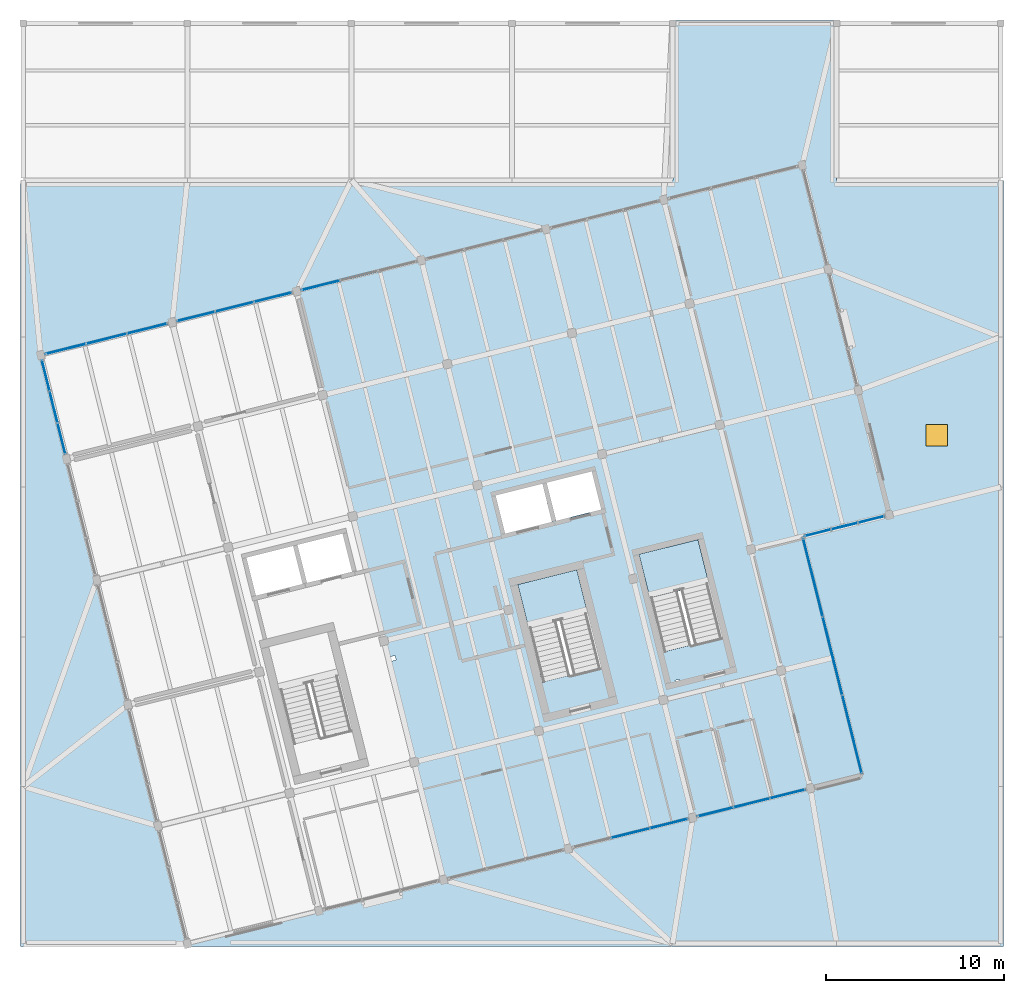
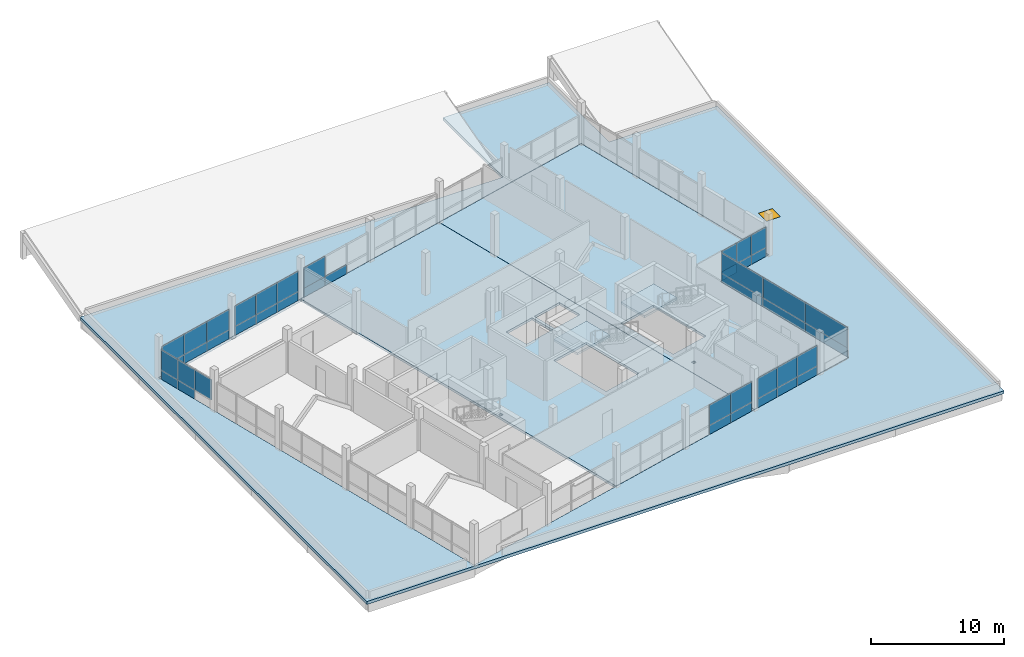
# One storey, part 32 of 37: 42 plates, 5 slabs, 1 window, 1 opening, 10 elements without a shape of their own.
"""IFC4 building model written with IfcOpenShell, lengths in metres."""

from ifc_helpers import new_model, si_unit, direction, frame, origin, origin_2d, place, context, subcontext, project, spatial, polyline, rectangle, outline, extrude, material, layer, layer_set, type_object, element, fill, aggregate, save


model = new_model("IFC4")

# Units and contexts
model_context = context("Model", 3, precision=1e-05, world=origin(), true_north=direction((0.0, 1.0)))
body_context = subcontext(model_context, "Body", "Model", "MODEL_VIEW")
ifc_project = project(units=[si_unit("LENGTHUNIT", "METRE"), si_unit("AREAUNIT", "SQUARE_METRE"), si_unit("VOLUMEUNIT", "CUBIC_METRE"), si_unit("PLANEANGLEUNIT", "RADIAN"), si_unit("MASSUNIT", "GRAM", prefix="KILO")], contexts=[model_context])

# Site, building, storey
site_placement = place(None, origin())
site = spatial("IfcSite", under=ifc_project, at=site_placement, CompositionType="ELEMENT")
building_placement = place(site_placement, origin())
building = spatial("IfcBuilding", under=site, at=building_placement, Name="Meriwether Solvik Hall", CompositionType="ELEMENT")
storey_placement = place(building_placement, frame((0.0, 0.0, 26.10009765625)))
storey = spatial("IfcBuildingStorey", under=building, at=storey_placement, Name="L06", CompositionType="ELEMENT", Elevation=26.10009765625)

# Curtain wall, plates
ifc_material_1 = material(Name="Thermally Broken Anodised Aluminium 6063-T6 and Low-E Glass", Category="aluminium")
ifc_layer_1 = layer(ifc_material_1, 0.179931640625)
ifc_layer_set_1 = layer_set([ifc_layer_1], Name="Thermally Broken Anodised Aluminium 6063-T6 and Low-E Glass")
curtain_wall_type_1 = type_object("IfcCurtainWallType", Name="CW-UNIT-A", PredefinedType="USERDEFINED", material=ifc_layer_set_1)
curtain_wall_1_placement = place(storey_placement, origin())
curtain_wall_1 = element("IfcCurtainWall", 1, at=curtain_wall_1_placement, inside=storey, type_object=curtain_wall_type_1, Name="Curtain Wall E0_B4 (L06)", ObjectType="UNITISED CURTAIN WALL", PredefinedType="USERDEFINED")
ifc_material_2 = material(Name="Low-Emissivity Double-Glazed Laminated Glass", Category="glass")
ifc_layer_2 = layer(ifc_material_2, 0.031982421875)
ifc_layer_set_2 = layer_set([ifc_layer_2], Name="Low-Emissivity Double-Glazed Laminated Glass")
plate_type_1 = type_object("IfcPlateType", Name="PLT-GLZ-180X185", PredefinedType="CURTAIN_PANEL", material=ifc_layer_set_2)
plate_1_placement = place(storey_placement, frame((102.24462890625, 49.588623046875, 0.82470703125), z_axis=(0.0, 0.0, 1.0), x_axis=(-0.970295700579, -0.241921998665, 0.0)))
plate_1 = element("IfcPlate", 2, at=plate_1_placement, type_object=plate_type_1, Name="Low-E Vision Glazing Panel 1", PredefinedType="CURTAIN_PANEL", context=body_context, shape_type="SweptSolid", body=[
    extrude(rectangle(XDim=2.047607421875, YDim=0.033935546875, at=origin_2d()), origin(), (0.0, 0.0, 1.0), 1.864990234375),
])
plate_2_placement = place(storey_placement, frame((100.231689453125, 49.086669921875, 0.82470703125), z_axis=(0.0, 0.0, 1.0), x_axis=(-0.970295700579, -0.241921998665, 0.0)))
plate_2 = element("IfcPlate", 3, at=plate_2_placement, type_object=plate_type_1, Name="Low-E Vision Glazing Panel 2", PredefinedType="CURTAIN_PANEL", context=body_context, shape_type="SweptSolid", body=[
    extrude(rectangle(XDim=2.085693359375, YDim=0.033935546875, at=origin_2d()), origin(), (0.0, 0.0, 1.0), 1.864990234375),
])
plate_3_placement = place(storey_placement, frame((98.218505859375, 48.584716796875, 0.82470703125), z_axis=(0.0, 0.0, 1.0), x_axis=(-0.970295700579, -0.241921998665, 0.0)))
plate_3 = element("IfcPlate", 4, at=plate_3_placement, type_object=plate_type_1, Name="Low-E Vision Glazing Panel 3", PredefinedType="CURTAIN_PANEL", context=body_context, shape_type="SweptSolid", body=[
    extrude(rectangle(XDim=2.047607421875, YDim=0.033935546875, at=origin_2d()), origin(), (0.0, 0.0, 1.0), 1.864990234375),
])

ifc_material_3 = material(Name="Thermally Broken Anodised Aluminium 6063-T6 and Low-E Glass", Category="aluminium")
ifc_layer_3 = layer(ifc_material_3, 0.179931640625)
ifc_layer_set_3 = layer_set([ifc_layer_3], Name="Thermally Broken Anodised Aluminium 6063-T6 and Low-E Glass")
curtain_wall_type_2 = type_object("IfcCurtainWallType", Name="CW-UNIT-E", PredefinedType="USERDEFINED", material=ifc_layer_set_3)
curtain_wall_2_placement = place(storey_placement, origin())
curtain_wall_2 = element("IfcCurtainWall", 5, at=curtain_wall_2_placement, inside=storey, type_object=curtain_wall_type_2, Name="Curtain Wall E1_B0 (L06)", ObjectType="UNITISED CURTAIN WALL", PredefinedType="USERDEFINED")
plate_4_placement = place(storey_placement, frame((103.677001953125, 61.72314453125, 0.82470703125), z_axis=(0.0, 0.0, 1.0), x_axis=(0.241921931502, -0.970295717325, 0.0)))
plate_4 = element("IfcPlate", 6, at=plate_4_placement, type_object=plate_type_1, Name="Low-E Vision Glazing Panel 1", PredefinedType="CURTAIN_PANEL", context=body_context, shape_type="SweptSolid", body=[
    extrude(rectangle(XDim=4.500732421875, YDim=0.033935546875, at=origin_2d()), origin(), (0.0, 0.0, 1.0), 1.864990234375),
])
plate_5_placement = place(storey_placement, frame((104.772216796875, 57.330078125, 0.82470703125), z_axis=(0.0, 0.0, 1.0), x_axis=(0.241921931502, -0.970295717325, 0.0)))
plate_5 = element("IfcPlate", 7, at=plate_5_placement, type_object=plate_type_1, Name="Low-E Vision Glazing Panel 2", PredefinedType="CURTAIN_PANEL", context=body_context, shape_type="SweptSolid", body=[
    extrude(rectangle(XDim=4.538818359375, YDim=0.033935546875, at=origin_2d()), origin(), (0.0, 0.0, 1.0), 1.864990234375),
])
plate_6_placement = place(storey_placement, frame((105.86767578125, 52.936767578125, 0.82470703125), z_axis=(0.0, 0.0, 1.0), x_axis=(0.241921931502, -0.970295717325, 0.0)))
plate_6 = element("IfcPlate", 8, at=plate_6_placement, type_object=plate_type_1, Name="Low-E Vision Glazing Panel 3", PredefinedType="CURTAIN_PANEL", context=body_context, shape_type="SweptSolid", body=[
    extrude(rectangle(XDim=4.500732421875, YDim=0.033935546875, at=origin_2d()), origin(), (0.0, 0.0, 1.0), 1.864990234375),
])

ifc_material_4 = material(Name="Thermally Broken Anodised Aluminium 6063-T6 and Low-E Glass", Category="aluminium")
ifc_layer_4 = layer(ifc_material_4, 0.179931640625)
ifc_layer_set_4 = layer_set([ifc_layer_4], Name="Thermally Broken Anodised Aluminium 6063-T6 and Low-E Glass")
curtain_wall_type_3 = type_object("IfcCurtainWallType", Name="CW-UNIT-F", PredefinedType="USERDEFINED", material=ifc_layer_set_4)
curtain_wall_3_placement = place(storey_placement, origin())
curtain_wall_3 = element("IfcCurtainWall", 9, at=curtain_wall_3_placement, inside=storey, type_object=curtain_wall_type_3, Name="Curtain Wall E2_B0 (L06)", ObjectType="UNITISED CURTAIN WALL", PredefinedType="USERDEFINED")
plate_7_placement = place(storey_placement, frame((106.9306640625, 64.979248046875, 0.82470703125), z_axis=(0.0, 0.0, 1.0), x_axis=(-0.97029572308, -0.241921908419, 0.0)))
plate_7 = element("IfcPlate", 10, at=plate_7_placement, type_object=plate_type_1, Name="Low-E Vision Glazing Panel 1", PredefinedType="CURTAIN_PANEL", context=body_context, shape_type="SweptSolid", body=[
    extrude(rectangle(XDim=1.507568359375, YDim=0.033935546875, at=origin_2d()), origin(), (0.0, 0.0, 1.0), 1.864990234375),
])
plate_8_placement = place(storey_placement, frame((105.441650390625, 64.608154296875, 0.82470703125), z_axis=(0.0, 0.0, 1.0), x_axis=(-0.97029572308, -0.241921908419, 0.0)))
plate_8 = element("IfcPlate", 11, at=plate_8_placement, type_object=plate_type_1, Name="Low-E Vision Glazing Panel 2", PredefinedType="CURTAIN_PANEL", context=body_context, shape_type="SweptSolid", body=[
    extrude(rectangle(XDim=1.54541015625, YDim=0.033935546875, at=origin_2d()), origin(), (0.0, 0.0, 1.0), 1.864990234375),
])
plate_9_placement = place(storey_placement, frame((103.95263671875, 64.23681640625, 0.82470703125), z_axis=(0.0, 0.0, 1.0), x_axis=(-0.97029572308, -0.241921908419, 0.0)))
plate_9 = element("IfcPlate", 12, at=plate_9_placement, type_object=plate_type_1, Name="Low-E Vision Glazing Panel 3", PredefinedType="CURTAIN_PANEL", context=body_context, shape_type="SweptSolid", body=[
    extrude(rectangle(XDim=1.507568359375, YDim=0.033935546875, at=origin_2d()), origin(), (0.0, 0.0, 1.0), 1.864990234375),
])

curtain_wall_4_placement = place(storey_placement, origin())
curtain_wall_4 = element("IfcCurtainWall", 13, at=curtain_wall_4_placement, inside=storey, type_object=curtain_wall_type_1, Name="Curtain Wall E4_B0 (L06)", ObjectType="UNITISED CURTAIN WALL", PredefinedType="USERDEFINED")
plate_10_placement = place(storey_placement, frame((61.7900390625, 74.54296875, 0.82470703125), z_axis=(0.0, 0.0, 1.0), x_axis=(0.970295724068, 0.241921904457, 0.0)))
plate_10 = element("IfcPlate", 14, at=plate_10_placement, type_object=plate_type_1, Name="Low-E Vision Glazing Panel 1", PredefinedType="CURTAIN_PANEL", context=body_context, shape_type="SweptSolid", body=[
    extrude(rectangle(XDim=2.314208984375, YDim=0.033935546875, at=origin_2d()), origin(), (0.0, 0.0, 1.0), 1.864990234375),
])
plate_11_placement = place(storey_placement, frame((64.061767578125, 75.109375, 0.82470703125), z_axis=(0.0, 0.0, 1.0), x_axis=(0.970295724068, 0.241921904457, 0.0)))
plate_11 = element("IfcPlate", 15, at=plate_11_placement, type_object=plate_type_1, Name="Low-E Vision Glazing Panel 2", PredefinedType="CURTAIN_PANEL", context=body_context, shape_type="SweptSolid", body=[
    extrude(rectangle(XDim=2.352294921875, YDim=0.033935546875, at=origin_2d()), origin(), (0.0, 0.0, 1.0), 1.864990234375),
])
plate_12_placement = place(storey_placement, frame((66.33349609375, 75.67578125, 0.82470703125), z_axis=(0.0, 0.0, 1.0), x_axis=(0.970295724068, 0.241921904457, 0.0)))
plate_12 = element("IfcPlate", 16, at=plate_12_placement, type_object=plate_type_1, Name="Low-E Vision Glazing Panel 3", PredefinedType="CURTAIN_PANEL", context=body_context, shape_type="SweptSolid", body=[
    extrude(rectangle(XDim=2.314208984375, YDim=0.033935546875, at=origin_2d()), origin(), (0.0, 0.0, 1.0), 1.864990234375),
])

curtain_wall_5_placement = place(storey_placement, origin())
curtain_wall_5 = element("IfcCurtainWall", 17, at=curtain_wall_5_placement, inside=storey, type_object=curtain_wall_type_3, Name="Curtain Wall E5_B4 (L06)", ObjectType="UNITISED CURTAIN WALL", PredefinedType="USERDEFINED")
plate_13_placement = place(storey_placement, frame((61.537841796875, 69.52490234375, 0.82470703125), z_axis=(0.0, 0.0, 1.0), x_axis=(-0.241921905778, 0.970295723738, 0.0)))
plate_13 = element("IfcPlate", 18, at=plate_13_placement, type_object=plate_type_1, Name="Low-E Vision Glazing Panel 1", PredefinedType="CURTAIN_PANEL", context=body_context, shape_type="SweptSolid", body=[
    extrude(rectangle(XDim=1.781005859375, YDim=0.033935546875, at=origin_2d()), origin(), (0.0, 0.0, 1.0), 1.864990234375),
])
plate_14_placement = place(storey_placement, frame((61.100341796875, 71.279052734375, 0.82470703125), z_axis=(0.0, 0.0, 1.0), x_axis=(-0.241921905778, 0.970295723738, 0.0)))
plate_14 = element("IfcPlate", 19, at=plate_14_placement, type_object=plate_type_1, Name="Low-E Vision Glazing Panel 2", PredefinedType="CURTAIN_PANEL", context=body_context, shape_type="SweptSolid", body=[
    extrude(rectangle(XDim=1.819091796875, YDim=0.033935546875, at=origin_2d()), origin(), (0.0, 0.0, 1.0), 1.864990234375),
])
plate_15_placement = place(storey_placement, frame((60.6630859375, 73.033447265625, 0.82470703125), z_axis=(0.0, 0.0, 1.0), x_axis=(-0.241921905778, 0.970295723738, 0.0)))
plate_15 = element("IfcPlate", 20, at=plate_15_placement, type_object=plate_type_1, Name="Low-E Vision Glazing Panel 3", PredefinedType="CURTAIN_PANEL", context=body_context, shape_type="SweptSolid", body=[
    extrude(rectangle(XDim=1.781005859375, YDim=0.033935546875, at=origin_2d()), origin(), (0.0, 0.0, 1.0), 1.864990234375),
])

ifc_material_5 = material(Name="Thermally Broken Anodised Aluminium 6063-T6 and Low-E Glass", Category="aluminium")
ifc_layer_5 = layer(ifc_material_5, 0.179931640625)
ifc_layer_set_5 = layer_set([ifc_layer_5], Name="Thermally Broken Anodised Aluminium 6063-T6 and Low-E Glass")
curtain_wall_type_4 = type_object("IfcCurtainWallType", Name="CW-UNIT-G", PredefinedType="USERDEFINED", material=ifc_layer_set_5)
curtain_wall_6_placement = place(storey_placement, origin())
curtain_wall_6 = element("IfcCurtainWall", 21, at=curtain_wall_6_placement, inside=storey, type_object=curtain_wall_type_4, Name="Curtain Wall E0_B3 (L06)", ObjectType="UNITISED CURTAIN WALL", PredefinedType="USERDEFINED")
ifc_material_6 = material(Name="Low-Emissivity Double-Glazed Laminated Glass", Category="glass")
ifc_layer_6 = layer(ifc_material_6, 0.031982421875)
ifc_layer_set_6 = layer_set([ifc_layer_6], Name="Low-Emissivity Double-Glazed Laminated Glass")
plate_type_2 = type_object("IfcPlateType", Name="PLT-GLZ-195X185", PredefinedType="CURTAIN_PANEL", material=ifc_layer_set_6)
plate_16_placement = place(storey_placement, frame((95.58203125, 47.92724609375, 0.82470703125), z_axis=(0.0, 0.0, 1.0), x_axis=(-0.970295691079, -0.241922036769, 0.0)))
plate_16 = element("IfcPlate", 22, at=plate_16_placement, type_object=plate_type_2, Name="Low-E Vision Glazing Panel 1", PredefinedType="CURTAIN_PANEL", context=body_context, shape_type="SweptSolid", body=[
    extrude(rectangle(XDim=2.180908203125, YDim=0.033935546875, at=origin_2d()), origin(), (0.0, 0.0, 1.0), 1.864990234375),
])
plate_17_placement = place(storey_placement, frame((93.439453125, 47.393310546875, 0.82470703125), z_axis=(0.0, 0.0, 1.0), x_axis=(-0.970295691079, -0.241922036769, 0.0)))
plate_17 = element("IfcPlate", 23, at=plate_17_placement, type_object=plate_type_2, Name="Low-E Vision Glazing Panel 2", PredefinedType="CURTAIN_PANEL", context=body_context, shape_type="SweptSolid", body=[
    extrude(rectangle(XDim=2.218994140625, YDim=0.033935546875, at=origin_2d()), origin(), (0.0, 0.0, 1.0), 1.864990234375),
])

# Curtain wall, plate
ifc_material_7 = material(Name="Thermally Broken Anodised Aluminium 6063-T6 and Low-E Glass", Category="aluminium")
ifc_layer_7 = layer(ifc_material_7, 0.179931640625)
ifc_layer_set_7 = layer_set([ifc_layer_7], Name="Thermally Broken Anodised Aluminium 6063-T6 and Low-E Glass")
curtain_wall_type_5 = type_object("IfcCurtainWallType", Name="CW-UNIT-C", PredefinedType="USERDEFINED", material=ifc_layer_set_7)
curtain_wall_7_placement = place(storey_placement, origin())
curtain_wall_7 = element("IfcCurtainWall", 24, at=curtain_wall_7_placement, inside=storey, type_object=curtain_wall_type_5, Name="Curtain Wall E4_B2 (L06)", ObjectType="UNITISED CURTAIN WALL", PredefinedType="USERDEFINED")
ifc_material_8 = material(Name="Low-Emissivity Double-Glazed Laminated Glass", Category="glass")
ifc_layer_8 = layer(ifc_material_8, 0.031982421875)
ifc_layer_set_8 = layer_set([ifc_layer_8], Name="Low-Emissivity Double-Glazed Laminated Glass")
plate_type_3 = type_object("IfcPlateType", Name="PLT-GLZ-210X195", PredefinedType="CURTAIN_PANEL", material=ifc_layer_set_8)
plate_18_placement = place(storey_placement, frame((76.085693359375, 78.107177734375, 0.82470703125), z_axis=(0.0, 0.0, 1.0), x_axis=(0.970295699836, 0.241922001646, 0.0)))
plate_18 = element("IfcPlate", 25, at=plate_18_placement, type_object=plate_type_3, Name="Low-E Vision Glazing Panel 1", PredefinedType="CURTAIN_PANEL", context=body_context, shape_type="SweptSolid", body=[
    extrude(rectangle(XDim=2.180908203125, YDim=0.033935546875, at=origin_2d()), origin(), (0.0, 0.0, 1.0), 1.864990234375),
])

# Curtain wall, plates
ifc_material_9 = material(Name="Thermally Broken Anodised Aluminium 6063-T6 and Low-E Glass", Category="aluminium")
ifc_layer_9 = layer(ifc_material_9, 0.179931640625)
ifc_layer_set_9 = layer_set([ifc_layer_9], Name="Thermally Broken Anodised Aluminium 6063-T6 and Low-E Glass")
curtain_wall_type_6 = type_object("IfcCurtainWallType", Name="CW-UNIT-B", PredefinedType="USERDEFINED", material=ifc_layer_set_9)
curtain_wall_8_placement = place(storey_placement, origin())
curtain_wall_8 = element("IfcCurtainWall", 26, at=curtain_wall_8_placement, inside=storey, type_object=curtain_wall_type_6, Name="Curtain Wall E4_B1 (L06)", ObjectType="UNITISED CURTAIN WALL", PredefinedType="USERDEFINED")
ifc_material_10 = material(Name="Low-Emissivity Double-Glazed Laminated Glass", Category="glass")
ifc_layer_10 = layer(ifc_material_10, 0.031982421875)
ifc_layer_set_10 = layer_set([ifc_layer_10], Name="Low-Emissivity Double-Glazed Laminated Glass")
plate_type_4 = type_object("IfcPlateType", Name="PLT-GLZ-225X195", PredefinedType="CURTAIN_PANEL", material=ifc_layer_set_10)
plate_19_placement = place(storey_placement, frame((69.099609375, 76.365478515625, 0.82470703125), z_axis=(0.0, 0.0, 1.0), x_axis=(0.970295734974, 0.241921860714, 0.0)))
plate_19 = element("IfcPlate", 27, at=plate_19_placement, type_object=plate_type_4, Name="Low-E Vision Glazing Panel 1", PredefinedType="CURTAIN_PANEL", context=body_context, shape_type="SweptSolid", body=[
    extrude(rectangle(XDim=2.180908203125, YDim=0.033935546875, at=origin_2d()), origin(), (0.0, 0.0, 1.0), 1.864990234375),
])
plate_20_placement = place(storey_placement, frame((71.241943359375, 76.899658203125, 0.82470703125), z_axis=(0.0, 0.0, 1.0), x_axis=(0.970295734974, 0.241921860714, 0.0)))
plate_20 = element("IfcPlate", 28, at=plate_20_placement, type_object=plate_type_4, Name="Low-E Vision Glazing Panel 2", PredefinedType="CURTAIN_PANEL", context=body_context, shape_type="SweptSolid", body=[
    extrude(rectangle(XDim=2.218994140625, YDim=0.033935546875, at=origin_2d()), origin(), (0.0, 0.0, 1.0), 1.864990234375),
])
plate_21_placement = place(storey_placement, frame((73.38427734375, 77.433837890625, 0.82470703125), z_axis=(0.0, 0.0, 1.0), x_axis=(0.970295734974, 0.241921860714, 0.0)))
plate_21 = element("IfcPlate", 29, at=plate_21_placement, type_object=plate_type_4, Name="Low-E Vision Glazing Panel 3", PredefinedType="CURTAIN_PANEL", context=body_context, shape_type="SweptSolid", body=[
    extrude(rectangle(XDim=2.180908203125, YDim=0.033935546875, at=origin_2d()), origin(), (0.0, 0.0, 1.0), 1.864990234375),
])

# Plate
ifc_material_11 = material(Name="Mineral-Wool Insulated Anodised Aluminium 6063-T6", Category="aluminium")
ifc_layer_11 = layer(ifc_material_11, 0.044921875)
ifc_layer_set_11 = layer_set([ifc_layer_11], Name="Mineral-Wool Insulated Anodised Aluminium 6063-T6")
plate_type_5 = type_object("IfcPlateType", Name="PLT-SPN-225X085", PredefinedType="CURTAIN_PANEL", material=ifc_layer_set_11)
plate_22_placement = place(storey_placement, frame((95.58203125, 47.92724609375, 0.0), z_axis=(0.0, 0.0, 1.0), x_axis=(-0.970295691079, -0.241922036769, 0.0)))
plate_22 = element("IfcPlate", 30, at=plate_22_placement, type_object=plate_type_5, Name="Insulated Spandrel Panel 1", PredefinedType="CURTAIN_PANEL", context=body_context, shape_type="SweptSolid", body=[
    extrude(rectangle(XDim=2.180908203125, YDim=0.044921875, at=origin_2d()), origin(), (0.0, 0.0, 1.0), 0.824951171875),
])

plate_23_placement = place(storey_placement, frame((93.439453125, 47.393310546875, 0.0), z_axis=(0.0, 0.0, 1.0), x_axis=(-0.970295691079, -0.241922036769, 0.0)))
plate_23 = element("IfcPlate", 31, at=plate_23_placement, type_object=plate_type_5, Name="Insulated Spandrel Panel 2", PredefinedType="CURTAIN_PANEL", context=body_context, shape_type="SweptSolid", body=[
    extrude(rectangle(XDim=2.218994140625, YDim=0.044921875, at=origin_2d()), origin(), (0.0, 0.0, 1.0), 0.824951171875),
])

aggregate(curtain_wall_6, [plate_22, plate_16, plate_23, plate_17])

plate_24_placement = place(storey_placement, frame((102.24462890625, 49.588623046875, 0.0), z_axis=(0.0, 0.0, 1.0), x_axis=(-0.970295700579, -0.241921998665, 0.0)))
plate_24 = element("IfcPlate", 32, at=plate_24_placement, type_object=plate_type_5, Name="Insulated Spandrel Panel 1", PredefinedType="CURTAIN_PANEL", context=body_context, shape_type="SweptSolid", body=[
    extrude(rectangle(XDim=2.047607421875, YDim=0.044921875, at=origin_2d()), origin(), (0.0, 0.0, 1.0), 0.824951171875),
])

plate_25_placement = place(storey_placement, frame((100.231689453125, 49.086669921875, 0.0), z_axis=(0.0, 0.0, 1.0), x_axis=(-0.970295700579, -0.241921998665, 0.0)))
plate_25 = element("IfcPlate", 33, at=plate_25_placement, type_object=plate_type_5, Name="Insulated Spandrel Panel 2", PredefinedType="CURTAIN_PANEL", context=body_context, shape_type="SweptSolid", body=[
    extrude(rectangle(XDim=2.085693359375, YDim=0.044921875, at=origin_2d()), origin(), (0.0, 0.0, 1.0), 0.824951171875),
])

plate_26_placement = place(storey_placement, frame((98.218505859375, 48.584716796875, 0.0), z_axis=(0.0, 0.0, 1.0), x_axis=(-0.970295700579, -0.241921998665, 0.0)))
plate_26 = element("IfcPlate", 34, at=plate_26_placement, type_object=plate_type_5, Name="Insulated Spandrel Panel 3", PredefinedType="CURTAIN_PANEL", context=body_context, shape_type="SweptSolid", body=[
    extrude(rectangle(XDim=2.047607421875, YDim=0.044921875, at=origin_2d()), origin(), (0.0, 0.0, 1.0), 0.824951171875),
])

aggregate(curtain_wall_1, [plate_24, plate_1, plate_25, plate_2, plate_26, plate_3])

plate_27_placement = place(storey_placement, frame((103.677001953125, 61.72314453125, 0.0), z_axis=(0.0, 0.0, 1.0), x_axis=(0.241921931502, -0.970295717325, 0.0)))
plate_27 = element("IfcPlate", 35, at=plate_27_placement, type_object=plate_type_5, Name="Insulated Spandrel Panel 1", PredefinedType="CURTAIN_PANEL", context=body_context, shape_type="SweptSolid", body=[
    extrude(rectangle(XDim=4.500732421875, YDim=0.044921875, at=origin_2d()), origin(), (0.0, 0.0, 1.0), 0.824951171875),
])

plate_28_placement = place(storey_placement, frame((104.772216796875, 57.330078125, 0.0), z_axis=(0.0, 0.0, 1.0), x_axis=(0.241921931502, -0.970295717325, 0.0)))
plate_28 = element("IfcPlate", 36, at=plate_28_placement, type_object=plate_type_5, Name="Insulated Spandrel Panel 2", PredefinedType="CURTAIN_PANEL", context=body_context, shape_type="SweptSolid", body=[
    extrude(rectangle(XDim=4.538818359375, YDim=0.044921875, at=origin_2d()), origin(), (0.0, 0.0, 1.0), 0.824951171875),
])

plate_29_placement = place(storey_placement, frame((105.86767578125, 52.936767578125, 0.0), z_axis=(0.0, 0.0, 1.0), x_axis=(0.241921931502, -0.970295717325, 0.0)))
plate_29 = element("IfcPlate", 37, at=plate_29_placement, type_object=plate_type_5, Name="Insulated Spandrel Panel 3", PredefinedType="CURTAIN_PANEL", context=body_context, shape_type="SweptSolid", body=[
    extrude(rectangle(XDim=4.500732421875, YDim=0.044921875, at=origin_2d()), origin(), (0.0, 0.0, 1.0), 0.824951171875),
])

aggregate(curtain_wall_2, [plate_27, plate_4, plate_28, plate_5, plate_29, plate_6])

plate_30_placement = place(storey_placement, frame((106.9306640625, 64.979248046875, 0.0), z_axis=(0.0, 0.0, 1.0), x_axis=(-0.97029572308, -0.241921908419, 0.0)))
plate_30 = element("IfcPlate", 38, at=plate_30_placement, type_object=plate_type_5, Name="Insulated Spandrel Panel 1", PredefinedType="CURTAIN_PANEL", context=body_context, shape_type="SweptSolid", body=[
    extrude(rectangle(XDim=1.507568359375, YDim=0.044921875, at=origin_2d()), origin(), (0.0, 0.0, 1.0), 0.824951171875),
])

plate_31_placement = place(storey_placement, frame((105.441650390625, 64.608154296875, 0.0), z_axis=(0.0, 0.0, 1.0), x_axis=(-0.97029572308, -0.241921908419, 0.0)))
plate_31 = element("IfcPlate", 39, at=plate_31_placement, type_object=plate_type_5, Name="Insulated Spandrel Panel 2", PredefinedType="CURTAIN_PANEL", context=body_context, shape_type="SweptSolid", body=[
    extrude(rectangle(XDim=1.54541015625, YDim=0.044921875, at=origin_2d()), origin(), (0.0, 0.0, 1.0), 0.824951171875),
])

plate_32_placement = place(storey_placement, frame((103.95263671875, 64.23681640625, 0.0), z_axis=(0.0, 0.0, 1.0), x_axis=(-0.97029572308, -0.241921908419, 0.0)))
plate_32 = element("IfcPlate", 40, at=plate_32_placement, type_object=plate_type_5, Name="Insulated Spandrel Panel 3", PredefinedType="CURTAIN_PANEL", context=body_context, shape_type="SweptSolid", body=[
    extrude(rectangle(XDim=1.507568359375, YDim=0.044921875, at=origin_2d()), origin(), (0.0, 0.0, 1.0), 0.824951171875),
])

aggregate(curtain_wall_3, [plate_30, plate_7, plate_31, plate_8, plate_32, plate_9])

plate_33_placement = place(storey_placement, frame((61.7900390625, 74.54296875, 0.0), z_axis=(0.0, 0.0, 1.0), x_axis=(0.970295724068, 0.241921904457, 0.0)))
plate_33 = element("IfcPlate", 41, at=plate_33_placement, type_object=plate_type_5, Name="Insulated Spandrel Panel 1", PredefinedType="CURTAIN_PANEL", context=body_context, shape_type="SweptSolid", body=[
    extrude(rectangle(XDim=2.314208984375, YDim=0.044921875, at=origin_2d()), origin(), (0.0, 0.0, 1.0), 0.824951171875),
])

plate_34_placement = place(storey_placement, frame((64.061767578125, 75.109375, 0.0), z_axis=(0.0, 0.0, 1.0), x_axis=(0.970295724068, 0.241921904457, 0.0)))
plate_34 = element("IfcPlate", 42, at=plate_34_placement, type_object=plate_type_5, Name="Insulated Spandrel Panel 2", PredefinedType="CURTAIN_PANEL", context=body_context, shape_type="SweptSolid", body=[
    extrude(rectangle(XDim=2.352294921875, YDim=0.044921875, at=origin_2d()), origin(), (0.0, 0.0, 1.0), 0.824951171875),
])

plate_35_placement = place(storey_placement, frame((66.33349609375, 75.67578125, 0.0), z_axis=(0.0, 0.0, 1.0), x_axis=(0.970295724068, 0.241921904457, 0.0)))
plate_35 = element("IfcPlate", 43, at=plate_35_placement, type_object=plate_type_5, Name="Insulated Spandrel Panel 3", PredefinedType="CURTAIN_PANEL", context=body_context, shape_type="SweptSolid", body=[
    extrude(rectangle(XDim=2.314208984375, YDim=0.044921875, at=origin_2d()), origin(), (0.0, 0.0, 1.0), 0.824951171875),
])

aggregate(curtain_wall_4, [plate_33, plate_10, plate_34, plate_11, plate_35, plate_12])

plate_36_placement = place(storey_placement, frame((69.099609375, 76.365478515625, 0.0), z_axis=(0.0, 0.0, 1.0), x_axis=(0.970295734974, 0.241921860714, 0.0)))
plate_36 = element("IfcPlate", 44, at=plate_36_placement, type_object=plate_type_5, Name="Insulated Spandrel Panel 1", PredefinedType="CURTAIN_PANEL", context=body_context, shape_type="SweptSolid", body=[
    extrude(rectangle(XDim=2.180908203125, YDim=0.044921875, at=origin_2d()), origin(), (0.0, 0.0, 1.0), 0.824951171875),
])

plate_37_placement = place(storey_placement, frame((71.241943359375, 76.899658203125, 0.0), z_axis=(0.0, 0.0, 1.0), x_axis=(0.970295734974, 0.241921860714, 0.0)))
plate_37 = element("IfcPlate", 45, at=plate_37_placement, type_object=plate_type_5, Name="Insulated Spandrel Panel 2", PredefinedType="CURTAIN_PANEL", context=body_context, shape_type="SweptSolid", body=[
    extrude(rectangle(XDim=2.218994140625, YDim=0.044921875, at=origin_2d()), origin(), (0.0, 0.0, 1.0), 0.824951171875),
])

plate_38_placement = place(storey_placement, frame((73.38427734375, 77.433837890625, 0.0), z_axis=(0.0, 0.0, 1.0), x_axis=(0.970295734974, 0.241921860714, 0.0)))
plate_38 = element("IfcPlate", 46, at=plate_38_placement, type_object=plate_type_5, Name="Insulated Spandrel Panel 3", PredefinedType="CURTAIN_PANEL", context=body_context, shape_type="SweptSolid", body=[
    extrude(rectangle(XDim=2.180908203125, YDim=0.044921875, at=origin_2d()), origin(), (0.0, 0.0, 1.0), 0.824951171875),
])

aggregate(curtain_wall_8, [plate_36, plate_19, plate_37, plate_20, plate_38, plate_21])

plate_39_placement = place(storey_placement, frame((76.085693359375, 78.107177734375, 0.0), z_axis=(0.0, 0.0, 1.0), x_axis=(0.970295699836, 0.241922001646, 0.0)))
plate_39 = element("IfcPlate", 47, at=plate_39_placement, type_object=plate_type_5, Name="Insulated Spandrel Panel 1", PredefinedType="CURTAIN_PANEL", context=body_context, shape_type="SweptSolid", body=[
    extrude(rectangle(XDim=2.180908203125, YDim=0.044921875, at=origin_2d()), origin(), (0.0, 0.0, 1.0), 0.824951171875),
])

plate_40_placement = place(storey_placement, frame((78.22802734375, 78.641357421875, 0.0), z_axis=(0.0, 0.0, 1.0), x_axis=(0.970295699836, 0.241922001646, 0.0)))
plate_40 = element("IfcPlate", 48, at=plate_40_placement, type_object=plate_type_5, Name="Insulated Spandrel Panel 2", PredefinedType="CURTAIN_PANEL", context=body_context, shape_type="SweptSolid", body=[
    extrude(rectangle(XDim=2.218994140625, YDim=0.044921875, at=origin_2d()), origin(), (0.0, 0.0, 1.0), 0.824951171875),
])

aggregate(curtain_wall_7, [plate_39, plate_18, plate_40])

plate_41_placement = place(storey_placement, frame((61.100341796875, 71.279052734375, 0.0), z_axis=(0.0, 0.0, 1.0), x_axis=(-0.241921905778, 0.970295723738, 0.0)))
plate_41 = element("IfcPlate", 49, at=plate_41_placement, type_object=plate_type_5, Name="Insulated Spandrel Panel 2", PredefinedType="CURTAIN_PANEL", context=body_context, shape_type="SweptSolid", body=[
    extrude(rectangle(XDim=1.819091796875, YDim=0.044921875, at=origin_2d()), origin(), (0.0, 0.0, 1.0), 0.824951171875),
])

plate_42_placement = place(storey_placement, frame((60.6630859375, 73.033447265625, 0.0), z_axis=(0.0, 0.0, 1.0), x_axis=(-0.241921905778, 0.970295723738, 0.0)))
plate_42 = element("IfcPlate", 50, at=plate_42_placement, type_object=plate_type_5, Name="Insulated Spandrel Panel 3", PredefinedType="CURTAIN_PANEL", context=body_context, shape_type="SweptSolid", body=[
    extrude(rectangle(XDim=1.781005859375, YDim=0.044921875, at=origin_2d()), origin(), (0.0, 0.0, 1.0), 0.824951171875),
])

aggregate(curtain_wall_5, [plate_13, plate_41, plate_14, plate_42, plate_15])

# Slabs
ifc_material_12 = material(Name="Cross-Laminated Timber PRG 320 E1", Category="wood")
ifc_layer_12 = layer(ifc_material_12, 0.219970703125)
ifc_layer_set_12 = layer_set([ifc_layer_12], Name="Cross-Laminated Timber PRG 320 E1")
slab_type_1 = type_object("IfcSlabType", Name="SLB-CLT-220", PredefinedType="FLOOR", material=ifc_layer_set_12)
slab_1_placement = place(storey_placement, frame((0.0, 0.0, -0.22021484375)))
element("IfcSlab", 51, at=slab_1_placement, inside=storey, type_object=slab_type_1, Name="L06 Mass-Timber CLT Floor C", PredefinedType="FLOOR", context=body_context, shape_type="SweptSolid", body=[
    extrude(outline(polyline([(88.704345703125, 81.25341796875), (96.9296875, 48.263427734375), (82.96337890625, 44.78125), (74.738037109375, 77.771240234375), (88.704345703125, 81.25341796875)]), holes=[polyline([(79.997314453125, 57.284912109375), (80.0576171875, 57.04248046875), (80.30029296875, 57.10302734375), (80.23974609375, 57.345458984375), (79.997314453125, 57.284912109375)]), polyline([(87.13037109375, 61.330810546875), (88.492919921875, 55.8662109375), (91.791748046875, 56.688720703125), (90.429443359375, 62.1533203125), (87.13037109375, 61.330810546875)]), polyline([(88.504150390625, 66.981201171875), (85.884521484375, 66.327880859375), (86.416748046875, 64.193359375), (89.036376953125, 64.846435546875), (88.504150390625, 66.981201171875)]), polyline([(91.26953125, 67.670654296875), (88.746826171875, 67.04150390625), (89.279052734375, 64.906982421875), (91.8017578125, 65.535888671875), (91.26953125, 67.670654296875)])]), origin(), (0.0, 0.0, 1.0), 0.22021484375),
])
slab_2_placement = place(storey_placement, frame((0.0, 0.0, -0.22021484375)))
element("IfcSlab", 52, at=slab_2_placement, inside=storey, type_object=slab_type_1, Name="L06 Mass-Timber CLT Floor E", PredefinedType="FLOOR", context=body_context, shape_type="SweptSolid", body=[
    extrude(outline(polyline([(103.067626953125, 84.834716796875), (107.95458984375, 65.234619140625), (103.10302734375, 64.025146484375), (106.441650390625, 50.635009765625), (96.935546875, 48.264892578125), (88.710205078125, 81.2548828125), (103.067626953125, 84.834716796875)]), holes=[polyline([(95.943115234375, 55.953125), (96.003662109375, 55.71044921875), (96.24609375, 55.77099609375), (96.185791015625, 56.013671875), (95.943115234375, 55.953125)]), polyline([(93.92236328125, 63.0244140625), (95.284912109375, 57.5595703125), (98.583984375, 58.382080078125), (97.221435546875, 63.846923828125), (93.92236328125, 63.0244140625)])]), origin(), (0.0, 0.0, 1.0), 0.22021484375),
])

# Stair, slab
ifc_material_13 = material(Name="Concrete C40/50", Category="concrete")
stair_type = type_object("IfcStairType", Name="STR-CORE-DOGLEG-A", PredefinedType="TWO_STRAIGHT_RUN_STAIR", material=ifc_material_13)
stair_1_placement = place(storey_placement, origin())
stair_1 = element("IfcStair", 53, at=stair_1_placement, inside=storey, type_object=stair_type, Name="Exit Stair ST-02 (L06)", PredefinedType="TWO_STRAIGHT_RUN_STAIR")
ifc_material_14 = material(Name="Concrete C40/50", Category="concrete")
ifc_layer_13 = layer(ifc_material_14, 0.199951171875)
ifc_layer_set_13 = layer_set([ifc_layer_13], Name="Concrete C40/50")
slab_type_2 = type_object("IfcSlabType", Name="SLB-LND-200", PredefinedType="LANDING", material=ifc_layer_set_13)
slab_3_placement = place(storey_placement, frame((0.0, 0.0, 1.75)))
slab_3 = element("IfcSlab", 54, at=slab_3_placement, type_object=slab_type_2, Name="Stair ST-02 Half Landing (L06)", PredefinedType="LANDING", context=body_context, shape_type="SweptSolid", body=[
    extrude(outline(polyline([(87.73828125, 58.871826171875), (91.046875, 59.69677734375), (90.432861328125, 62.159423828125), (87.124267578125, 61.33447265625), (87.73828125, 58.871826171875)])), origin(), (0.0, 0.0, 1.0), 0.199951171875),
])
aggregate(stair_1, [slab_3])

stair_2_placement = place(storey_placement, origin())
stair_2 = element("IfcStair", 55, at=stair_2_placement, inside=storey, type_object=stair_type, Name="Exit Stair ST-03 (L06)", PredefinedType="TWO_STRAIGHT_RUN_STAIR")
slab_4_placement = place(storey_placement, frame((0.0, 0.0, 1.75)))
slab_4 = element("IfcSlab", 56, at=slab_4_placement, type_object=slab_type_2, Name="Stair ST-03 Half Landing (L06)", PredefinedType="LANDING", context=body_context, shape_type="SweptSolid", body=[
    extrude(outline(polyline([(94.5302734375, 60.5654296875), (97.839111328125, 61.390380859375), (97.22509765625, 63.85302734375), (93.916259765625, 63.028076171875), (94.5302734375, 60.5654296875)])), origin(), (0.0, 0.0, 1.0), 0.199951171875),
])
aggregate(stair_2, [slab_4])

# Slab, opening, window
ifc_material_15 = material(Name="Concrete C40/50", Category="concrete")
ifc_layer_14 = layer(ifc_material_15, 0.27001953125)
ifc_layer_set_14 = layer_set([ifc_layer_14], Name="Concrete C40/50")
slab_type_3 = type_object("IfcSlabType", Name="SLB-RC-270", PredefinedType="ROOF", material=ifc_layer_set_14)
slab_5_placement = place(storey_placement, frame((0.0, 0.0, -0.27001953125)))
slab_5 = element("IfcSlab", 57, at=slab_5_placement, inside=storey, type_object=slab_type_3, Name="L06 Shoulder Collar Roof Deck 1", PredefinedType="ROOF", context=body_context, shape_type="SweptSolid", body=[
    extrude(outline(polyline([(104.97998046875, 92.9599609375), (104.97998046875, 83.97998046875), (114.360107421875, 83.97998046875), (114.360107421875, 41.0400390625), (59.239990234375, 41.0400390625), (59.239990234375, 83.97998046875), (95.820068359375, 83.97998046875), (95.820068359375, 92.9599609375), (104.97998046875, 92.9599609375)]), holes=[polyline([(103.12109375, 64.01416015625), (107.97265625, 65.2236328125), (103.07861328125, 84.852783203125), (60.3564453125, 74.200927734375), (68.589111328125, 41.181884765625), (106.459716796875, 50.6240234375), (103.12109375, 64.01416015625)])]), origin(), (0.0, 0.0, 1.0), 0.27001953125),
])
opening_placement = place(slab_5_placement, frame((110.606689453125, 69.71240234375, 0.0)))
opening = element("IfcOpeningElement", 58, at=opening_placement, cuts=slab_5, Name="Opening SK-136", PredefinedType="OPENING", context=body_context, shape_type="SweptSolid", body=[
    extrude(rectangle(XDim=1.199951171875, YDim=1.199951171875, at=origin_2d()), frame((0.0, 0.0, -0.011962890625)), (0.0, 0.0, 1.0), 0.2939453125),
])
ifc_material_16 = material(Name="Thermally Broken Anodised Aluminium and Triple Low-E Glass", Category="aluminium")
window_type = type_object("IfcWindowType", Name="SKY-HATCH-120X120", PartitioningType="SINGLE_PANEL", PredefinedType="LIGHTDOME", material=ifc_material_16)
window_placement = place(opening_placement, frame((0.0, 0.0, 0.219970703125)))
window = element("IfcWindow", 59, at=window_placement, inside=storey, type_object=window_type, Name="Shoulder Maintenance Roof Skylight Hatch", OverallHeight=1.199951171875, OverallWidth=1.199951171875, PartitioningType="SINGLE_PANEL", PredefinedType="LIGHTDOME", context=body_context, shape_type="SweptSolid", body=[
    extrude(rectangle(XDim=1.199951171875, YDim=1.199951171875, at=origin_2d()), origin(), (0.0, 0.0, 1.0), 0.050048828125),
])
fill(opening, window)

save(model, "model.ifc")
